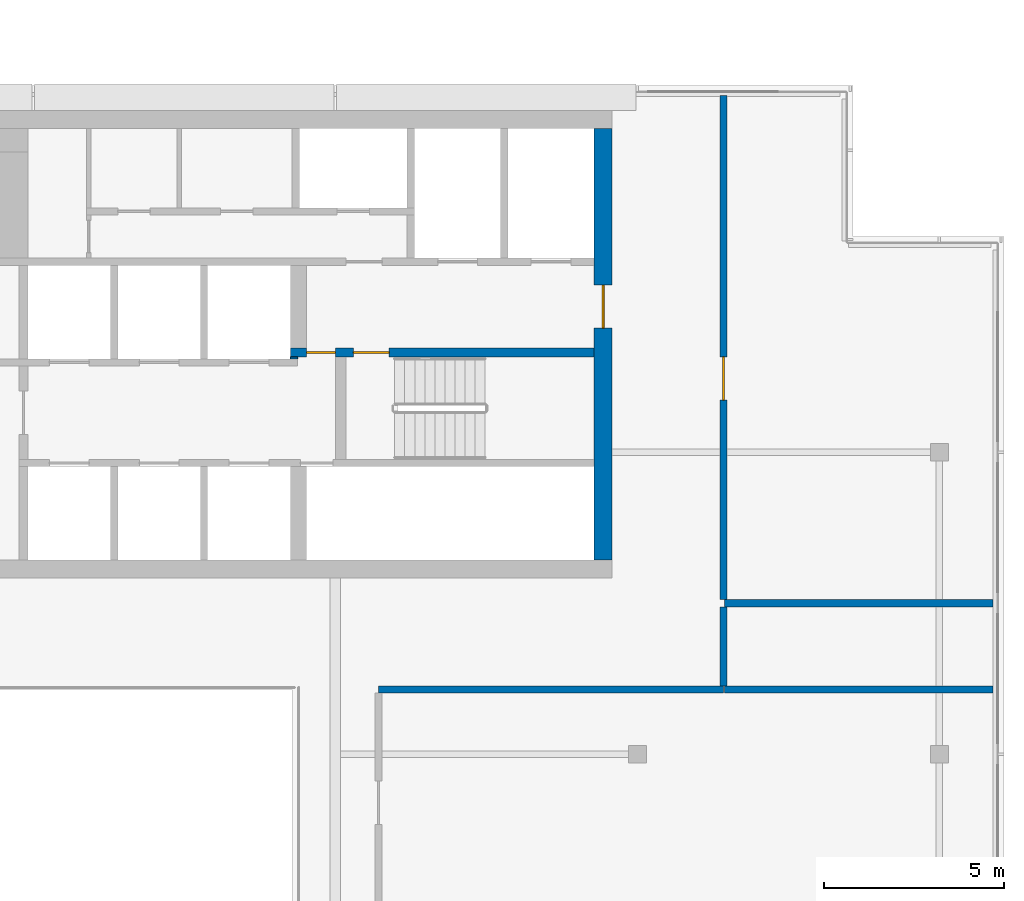
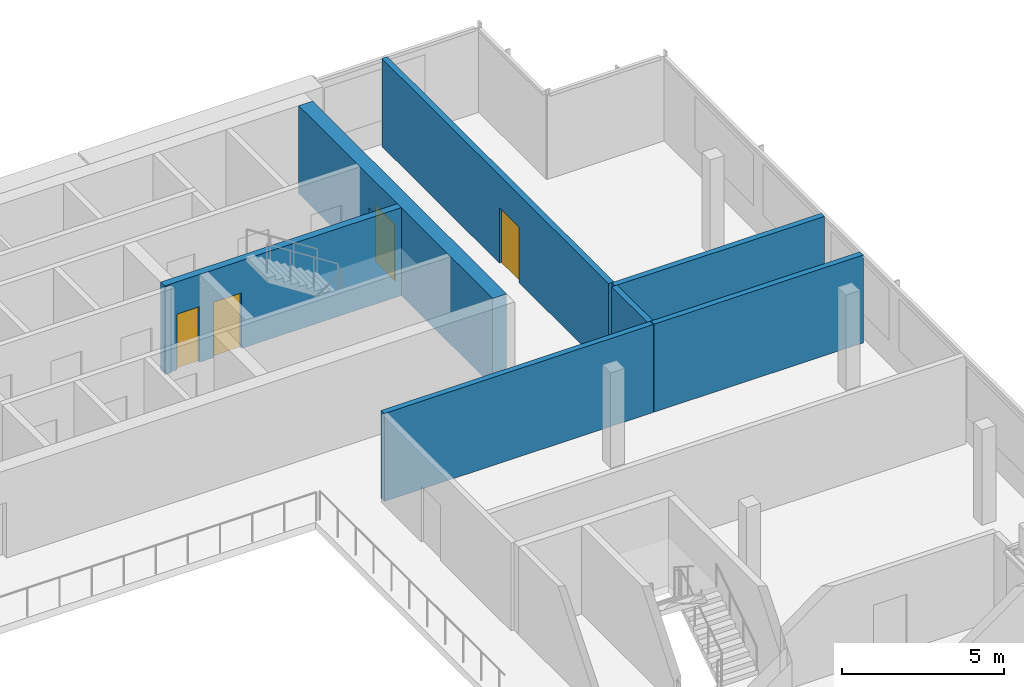
# One storey, part 14 of 21: 8 walls, 4 doors, 4 openings.
"""IFC4 building model written with IfcOpenShell, lengths in metres."""

from ifc_helpers import new_model, si_unit, direction, frame, frame_2d, origin, place, context, subcontext, project, spatial, rectangle, extrude, material, layer, layer_set, type_object, element, fill, save


model = new_model("IFC4")

# Units and contexts
model_context = context("Model", 3, precision=1e-05, world=origin(), true_north=direction((0.0, 1.0)))
body_context = subcontext(model_context, "Body", "Model", "MODEL_VIEW")
ifc_project = project(units=[si_unit("LENGTHUNIT", "METRE"), si_unit("AREAUNIT", "SQUARE_METRE"), si_unit("VOLUMEUNIT", "CUBIC_METRE"), si_unit("PLANEANGLEUNIT", "RADIAN"), si_unit("MASSUNIT", "GRAM", prefix="KILO")], contexts=[model_context])

# Site, building, storey
site_placement = place(None, origin())
site = spatial("IfcSite", under=ifc_project, at=site_placement, CompositionType="ELEMENT")
building_placement = place(site_placement, origin())
building = spatial("IfcBuilding", under=site, at=building_placement, Name="Saffron Gate Tower", CompositionType="ELEMENT")
storey_placement = place(building_placement, frame((0.0, 0.0, 299.550048828125)))
storey = spatial("IfcBuildingStorey", under=building, at=storey_placement, Name="L73", CompositionType="ELEMENT", Elevation=299.550048828125)

# Wall, opening, door
ifc_material_1 = material(Name="Concrete C50", Category="concrete")
ifc_layer_1 = layer(ifc_material_1, 0.5)
ifc_layer_set_1 = layer_set([ifc_layer_1], Name="CW22 RC core wall 500 C50")
wall_type_1 = type_object("IfcWallType", Name="CW22 RC core wall 500 C50", PredefinedType="SOLIDWALL", material=ifc_layer_set_1)
wall_1_placement = place(storey_placement, frame((107.64990234375, 62.39990234375, 0.0), z_axis=(0.0, 0.0, 1.0), x_axis=(0.0, 1.0, 0.0)))
wall_1 = element("IfcWall", 1, at=wall_1_placement, inside=storey, type_object=wall_type_1, Name="Wall CW22-L73-4", PredefinedType="SOLIDWALL", context=body_context, shape_type="SweptSolid", body=[
    extrude(rectangle(XDim=12.0, YDim=0.5, at=frame_2d((6.0, 0.0))), origin(), (0.0, 0.0, 1.0), 3.320068359375),
])
opening_1_placement = place(wall_1_placement, frame((6.449951171875, 0.0, 0.0)))
opening_1 = element("IfcOpeningElement", 2, at=opening_1_placement, cuts=wall_1, Name="Opening CR-08", PredefinedType="OPENING", context=body_context, shape_type="SweptSolid", body=[
    extrude(rectangle(XDim=1.199951171875, YDim=2.10009765625, at=frame_2d((0.60009765625, 1.050048828125))), frame((0.0, 0.260009765625, 0.0), z_axis=(0.0, -1.0, 0.0), x_axis=(1.0, 0.0, 0.0)), (0.0, 0.0, 1.0), 0.52001953125),
])
ifc_material_2 = material(Name="Steel fire door set", Category="steel")
door_type_1 = type_object("IfcDoorType", Name="CD7 Core entrance door 1200x2100 EI 120", OperationType="NOTDEFINED", PredefinedType="DOOR", material=ifc_material_2)
door_1_placement = place(opening_1_placement, origin())
door_1 = element("IfcDoor", 3, at=door_1_placement, inside=storey, type_object=door_type_1, Name="DOOR CR-08", OperationType="SINGLE_SWING_RIGHT", OverallHeight=2.10009765625, OverallWidth=1.199951171875, PredefinedType="DOOR", context=body_context, shape_type="SweptSolid", body=[
    extrude(rectangle(XDim=1.199951171875, YDim=2.10009765625, at=frame_2d((0.60009765625, 1.050048828125))), frame((0.0, 0.02490234375, 0.0), z_axis=(0.0, -1.0, 0.0), x_axis=(1.0, 0.0, 0.0)), (0.0, 0.0, 1.0), 0.050048828125),
])
fill(opening_1, door_1)

# Wall, openings, doors
ifc_layer_2 = layer(ifc_material_1, 0.25)
ifc_layer_set_2 = layer_set([ifc_layer_2], Name="CW23 RC core wall 250 C50")
wall_type_2 = type_object("IfcWallType", Name="CW23 RC core wall 250 C50", PredefinedType="SOLIDWALL", material=ifc_layer_set_2)
wall_2_placement = place(storey_placement, frame((98.949951171875, 68.175048828125, 0.0), z_axis=(0.0, 0.0, 1.0), x_axis=(1.0, 0.0, 0.0)))
wall_2 = element("IfcWall", 4, at=wall_2_placement, inside=storey, type_object=wall_type_2, Name="Wall CW23-L73-28", PredefinedType="SOLIDWALL", context=body_context, shape_type="SweptSolid", body=[
    extrude(rectangle(XDim=8.449951171875, YDim=0.25, at=frame_2d((4.22509765625, 0.0))), origin(), (0.0, 0.0, 1.0), 3.320068359375),
])
opening_2_placement = place(wall_2_placement, frame((0.449951171875, 0.0, 0.0)))
opening_2 = element("IfcOpeningElement", 5, at=opening_2_placement, cuts=wall_2, Name="Opening CR-05", PredefinedType="OPENING", context=body_context, shape_type="SweptSolid", body=[
    extrude(rectangle(XDim=0.800048828125, YDim=2.10009765625, at=frame_2d((0.39990234375, 1.050048828125))), frame((0.0, 0.135009765625, 0.0), z_axis=(0.0, -1.0, 0.0), x_axis=(1.0, 0.0, 0.0)), (0.0, 0.0, 1.0), 0.27001953125),
])
opening_3_placement = place(wall_2_placement, frame((1.75, 0.0, 0.0)))
opening_3 = element("IfcOpeningElement", 6, at=opening_3_placement, cuts=wall_2, Name="Opening CR-16", PredefinedType="OPENING", context=body_context, shape_type="SweptSolid", body=[
    extrude(rectangle(XDim=1.0, YDim=2.10009765625, at=frame_2d((0.5, 1.050048828125))), frame((0.0, 0.135009765625, 0.0), z_axis=(0.0, -1.0, 0.0), x_axis=(1.0, 0.0, 0.0)), (0.0, 0.0, 1.0), 0.27001953125),
])
door_type_2 = type_object("IfcDoorType", Name="CD5 Stair door 1000x2100 EI 120", OperationType="NOTDEFINED", PredefinedType="DOOR", material=ifc_material_2)
door_2_placement = place(opening_3_placement, origin())
door_2 = element("IfcDoor", 7, at=door_2_placement, inside=storey, type_object=door_type_2, Name="DOOR CR-16", OperationType="SINGLE_SWING_RIGHT", OverallHeight=2.10009765625, OverallWidth=1.0, PredefinedType="DOOR", context=body_context, shape_type="SweptSolid", body=[
    extrude(rectangle(XDim=1.0, YDim=2.10009765625, at=frame_2d((0.5, 1.050048828125))), frame((0.0, 0.02490234375, 0.0), z_axis=(0.0, -1.0, 0.0), x_axis=(1.0, 0.0, 0.0)), (0.0, 0.0, 1.0), 0.050048828125),
])
fill(opening_3, door_2)
door_type_3 = type_object("IfcDoorType", Name="CD6 Lobby door 800x2100 EI 120", OperationType="NOTDEFINED", PredefinedType="DOOR", material=ifc_material_2)
door_3_placement = place(opening_2_placement, origin())
door_3 = element("IfcDoor", 8, at=door_3_placement, inside=storey, type_object=door_type_3, Name="DOOR CR-05", OperationType="SINGLE_SWING_LEFT", OverallHeight=2.10009765625, OverallWidth=0.800048828125, PredefinedType="DOOR", context=body_context, shape_type="SweptSolid", body=[
    extrude(rectangle(XDim=0.800048828125, YDim=2.10009765625, at=frame_2d((0.39990234375, 1.050048828125))), frame((0.0, 0.02490234375, 0.0), z_axis=(0.0, -1.0, 0.0), x_axis=(1.0, 0.0, 0.0)), (0.0, 0.0, 1.0), 0.050048828125),
])
fill(opening_2, door_3)

# Walls
ifc_layer_3 = layer(ifc_material_1, 0.050048828125)
ifc_layer_set_3 = layer_set([ifc_layer_3], Name="CW27 RC core wall 50 C50")
wall_type_3 = type_object("IfcWallType", Name="CW27 RC core wall 50 C50", PredefinedType="SOLIDWALL", material=ifc_layer_set_3)
wall_3_placement = place(storey_placement, frame((98.949951171875, 68.02490234375, 0.0), z_axis=(0.0, 0.0, 1.0), x_axis=(1.0, 0.0, 0.0)))
element("IfcWall", 9, at=wall_3_placement, inside=storey, type_object=wall_type_3, Name="Wall CW27-L73-26", PredefinedType="SOLIDWALL", context=body_context, shape_type="SweptSolid", body=[
    extrude(rectangle(XDim=0.199951171875, YDim=0.050048828125, at=frame_2d((0.10009765625, 0.0))), origin(), (0.0, 0.0, 1.0), 3.320068359375),
])
ifc_material_3 = material(Name="Clay brick masonry, rendered", Category="masonry")
ifc_layer_4 = layer(ifc_material_3, 0.199951171875)
ifc_layer_set_4 = layer_set([ifc_layer_4], Name="PW3 Corridor wall 200")
wall_type_4 = type_object("IfcWallType", Name="PW3 Corridor wall 200", PredefinedType="PARTITIONING", material=ifc_layer_set_4)
wall_4_placement = place(storey_placement, frame((101.39990234375, 58.800048828125, 0.0), z_axis=(0.0, 0.0, 1.0), x_axis=(1.0, 0.0, 0.0)))
element("IfcWall", 10, at=wall_4_placement, inside=storey, type_object=wall_type_4, Name="Wall E6-9", PredefinedType="PARTITIONING", context=body_context, shape_type="SweptSolid", body=[
    extrude(rectangle(XDim=9.60009765625, YDim=0.199951171875, at=frame_2d((4.800048828125, 0.0))), origin(), (0.0, 0.0, 1.0), 3.320068359375),
])

# Wall, opening, door
wall_5_placement = place(storey_placement, frame((111.0, 75.320068359375, 0.0), z_axis=(0.0, 0.0, 1.0), x_axis=(0.0, -1.0, 0.0)))
wall_5 = element("IfcWall", 11, at=wall_5_placement, inside=storey, type_object=wall_type_4, Name="Wall E6-21", PredefinedType="PARTITIONING", context=body_context, shape_type="SweptSolid", body=[
    extrude(rectangle(XDim=14.02001953125, YDim=0.199951171875, at=frame_2d((7.010009765625, 0.0))), origin(), (0.0, 0.0, 1.0), 3.320068359375),
])
opening_4_placement = place(wall_5_placement, frame((7.270263671875, 0.0, 0.0)))
opening_4 = element("IfcOpeningElement", 12, at=opening_4_placement, cuts=wall_5, Name="Opening E6-1", PredefinedType="OPENING", context=body_context, shape_type="SweptSolid", body=[
    extrude(rectangle(XDim=1.199951171875, YDim=2.10009765625, at=frame_2d((0.60009765625, 1.050048828125))), frame((0.0, 0.10986328125, 0.0), z_axis=(0.0, -1.0, 0.0), x_axis=(1.0, 0.0, 0.0)), (0.0, 0.0, 1.0), 0.219970703125),
])
ifc_material_4 = material(Name="Timber door set", Category="wood")
door_type_4 = type_object("IfcDoorType", Name="HD1 Hall door 1200x2100", OperationType="NOTDEFINED", PredefinedType="DOOR", material=ifc_material_4)
door_4_placement = place(opening_4_placement, origin())
door_4 = element("IfcDoor", 13, at=door_4_placement, inside=storey, type_object=door_type_4, Name="Door E6-1", OperationType="SINGLE_SWING_RIGHT", OverallHeight=2.10009765625, OverallWidth=1.199951171875, PredefinedType="DOOR", context=body_context, shape_type="SweptSolid", body=[
    extrude(rectangle(XDim=1.199951171875, YDim=2.10009765625, at=frame_2d((0.60009765625, 1.050048828125))), frame((0.0, 0.02490234375, 0.0), z_axis=(0.0, -1.0, 0.0), x_axis=(1.0, 0.0, 0.0)), (0.0, 0.0, 1.0), 0.050048828125),
])
fill(opening_4, door_4)

# Walls
ifc_layer_5 = layer(ifc_material_3, 0.199951171875)
ifc_layer_set_5 = layer_set([ifc_layer_5], Name="PW5 Room wall 200")
wall_type_5 = type_object("IfcWallType", Name="PW5 Room wall 200", PredefinedType="PARTITIONING", material=ifc_layer_set_5)
for number, where, z_axis, x_axis, name in (
    (14, (111.02001953125, 58.800048828125, 0.0), (0.0, 0.0, 1.0), (1.0, 0.0, 0.0), "Wall E6-11"),
    (15, (111.02001953125, 61.199951171875, 0.0), (0.0, 0.0, 1.0), (1.0, 0.0, 0.0), "Wall E6-13"),
):
    element("IfcWall", number, at=place(storey_placement, frame(where, z_axis=z_axis, x_axis=x_axis)), inside=storey, type_object=wall_type_5, Name=name, PredefinedType="PARTITIONING", context=body_context, shape_type="SweptSolid", body=[
        extrude(rectangle(XDim=7.47998046875, YDim=0.199951171875, at=frame_2d((3.739990234375, 0.0))), origin(), (0.0, 0.0, 1.0), 3.320068359375),
    ])
wall_6_placement = place(storey_placement, frame((111.0, 61.10009765625, 0.0), z_axis=(0.0, 0.0, 1.0), x_axis=(0.0, -1.0, 0.0)))
element("IfcWall", 16, at=wall_6_placement, inside=storey, type_object=wall_type_5, Name="Wall E6-22", PredefinedType="PARTITIONING", context=body_context, shape_type="SweptSolid", body=[
    extrude(rectangle(XDim=2.2001953125, YDim=0.199951171875, at=frame_2d((1.10009765625, 0.0))), origin(), (0.0, 0.0, 1.0), 3.320068359375),
])

save(model, "model.ifc")
